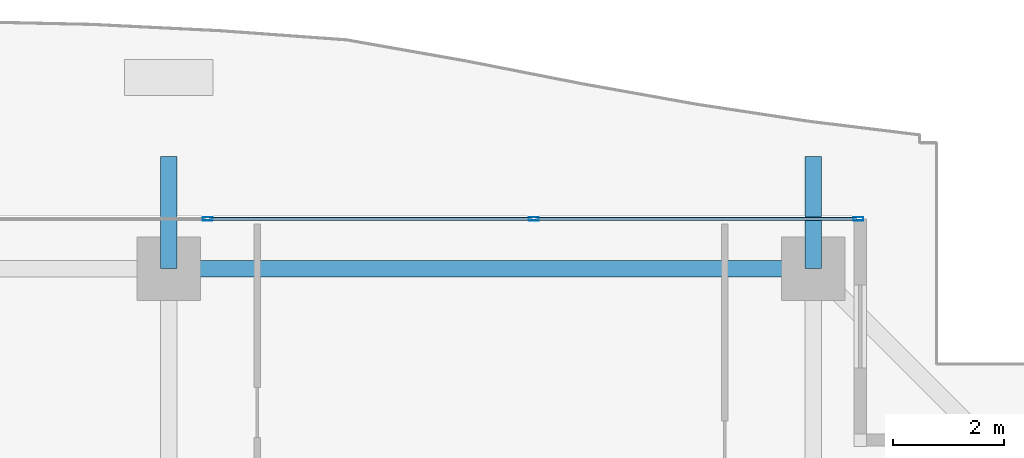
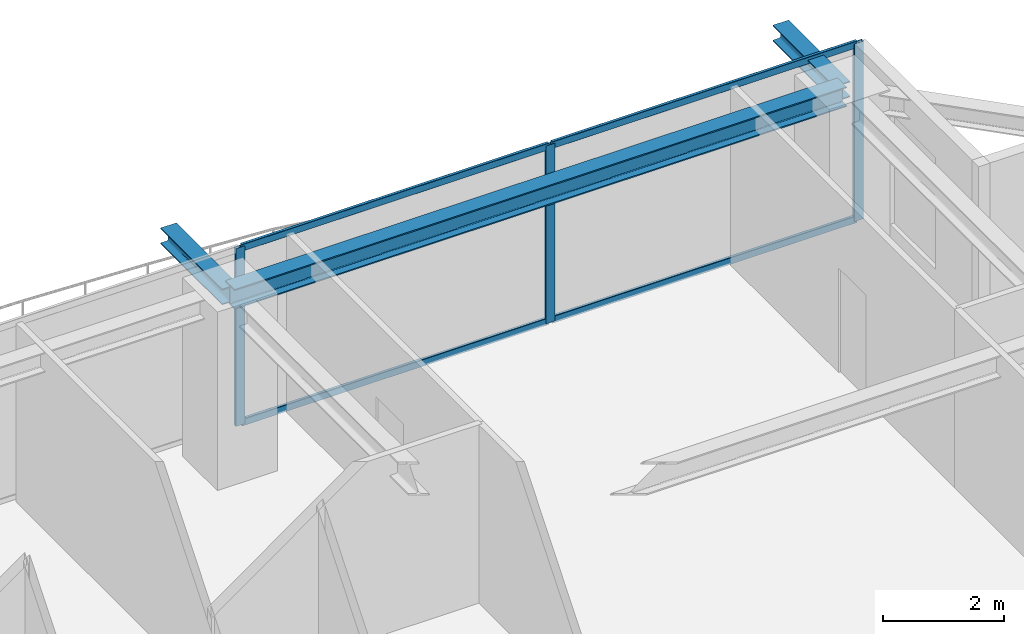
# One storey, part 25 of 38: 7 members, 3 beams, 1 element without a shape of its own.
"""IFC4 building model written with IfcOpenShell, lengths in metres."""

from ifc_helpers import new_model, si_unit, direction, frame, origin, origin_2d, place, context, subcontext, project, spatial, hollow_rectangle, i_section, extrude, source, transform, mapped, material, layer, layer_set, material_profile, profile_set, type_object, element, aggregate, save


model = new_model("IFC4")

# Units and contexts
model_context = context("Model", 3, precision=1e-05, world=origin(), true_north=direction((0.0, 1.0)))
body_context = subcontext(model_context, "Body", "Model", "MODEL_VIEW")
ifc_project = project(units=[si_unit("LENGTHUNIT", "METRE"), si_unit("AREAUNIT", "SQUARE_METRE"), si_unit("VOLUMEUNIT", "CUBIC_METRE"), si_unit("PLANEANGLEUNIT", "RADIAN"), si_unit("MASSUNIT", "GRAM", prefix="KILO")], contexts=[model_context])

# Site, building, storey
site_placement = place(None, origin())
site = spatial("IfcSite", under=ifc_project, at=site_placement, CompositionType="ELEMENT")
building_placement = place(site_placement, origin())
building = spatial("IfcBuilding", under=site, at=building_placement, Name="Serunith Strait Residences", CompositionType="ELEMENT")
storey_placement = place(building_placement, frame((0.0, 0.0, 268.199951171875)))
storey = spatial("IfcBuildingStorey", under=building, at=storey_placement, Name="L67", CompositionType="ELEMENT", Elevation=268.199951171875)

# Beams
ifc_material_1 = material(Name="Steel S355J2", Category="steel")
ifc_material_profile_1 = material_profile(ifc_material_1, i_section(OverallWidth=0.300048828125, OverallDepth=0.39990234375, WebThickness=0.013427734375, FlangeThickness=0.02392578125, FilletRadius=0.027099609375, at=origin_2d()), Name="HEB 400")
ifc_profile_set_1 = profile_set([ifc_material_profile_1], Name="Steel S355J2")
beam_type_1 = type_object("IfcBeamType", Name="BM-HEB400", PredefinedType="BEAM", material=ifc_profile_set_1)
shared_shape_1 = source(origin(), body_context, "Body", "SweptSolid", [
    extrude(i_section(OverallWidth=0.300048828125, OverallDepth=0.39990234375, WebThickness=0.013427734375, FlangeThickness=0.02392578125, FilletRadius=0.027099609375, at=origin_2d()), origin(), (0.0, 0.0, 1.0), 11.650146484375),
])
beam_placement = place(storey_placement, frame((48.550048828125, 48.300048828125, 3.386962890625), z_axis=(-1.0, 0.0, 0.0), x_axis=(0.0, -1.0, 0.0)))
element("IfcBeam", 1, at=beam_placement, inside=storey, type_object=beam_type_1, Name="L67 Perimeter Ring Beam 09", PredefinedType="BEAM", context=body_context, shape_type="MappedRepresentation", body=[
    mapped(shared_shape_1, transform((0.0, 0.0, 0.0), scale=1.0)),
])
ifc_material_profile_2 = material_profile(ifc_material_1, i_section(OverallWidth=0.300048828125, OverallDepth=0.320068359375, WebThickness=0.011474609375, FlangeThickness=0.0205078125, FilletRadius=0.027099609375, at=origin_2d()), Name="HEB 320")
ifc_profile_set_2 = profile_set([ifc_material_profile_2], Name="Steel S355J2")
beam_type_2 = type_object("IfcBeamType", Name="BM-HEB320", PredefinedType="BEAM", material=ifc_profile_set_2)
shared_shape_2 = source(origin(), body_context, "Body", "SweptSolid", [
    extrude(i_section(OverallWidth=0.300048828125, OverallDepth=0.320068359375, WebThickness=0.011474609375, FlangeThickness=0.0205078125, FilletRadius=0.027099609375, at=origin_2d()), origin(), (0.0, 0.0, 1.0), 2.030029296875),
])
for number, where, z_axis, x_axis, name in (
    (2, (36.89990234375, 48.300048828125, 3.39697265625), (0.0, 1.0, 0.0), (-1.0, 0.0, 0.0), "L68 Cantilevered Balcony Rib TC-N3"),
    (3, (48.550048828125, 48.300048828125, 3.39697265625), (0.0, 1.0, 0.0), (-1.0, 0.0, 0.0), "L68 Cantilevered Balcony Rib TC-N4"),
):
    element("IfcBeam", number, at=place(storey_placement, frame(where, z_axis=z_axis, x_axis=x_axis)), inside=storey, type_object=beam_type_2, Name=name, PredefinedType="BEAM", context=body_context, shape_type="MappedRepresentation", body=[
        mapped(shared_shape_2, transform((0.0, 0.0, 0.0), scale=1.0)),
    ])

# Curtain wall, members
ifc_material_2 = material(Name="Pale-Champagne Anodised Aluminium", Category="aluminium")
ifc_layer = layer(ifc_material_2, 0.199951171875, Name="Pale-Champagne Anodised Aluminium")
ifc_layer_set = layer_set([ifc_layer], Name="Pale-Champagne Anodised Aluminium")
curtain_wall_type = type_object("IfcCurtainWallType", Name="CW-SYS4", PredefinedType="NOTDEFINED", material=ifc_layer_set)
curtain_wall_placement = place(storey_placement, origin())
curtain_wall = element("IfcCurtainWall", 4, at=curtain_wall_placement, inside=storey, type_object=curtain_wall_type, Name="L67 N Unitised Fritted Curtain Wall", PredefinedType="NOTDEFINED")
ifc_material_profile_3 = material_profile(ifc_material_2, hollow_rectangle(XDim=0.06494140625, YDim=0.179931640625, WallThickness=0.00341796875, InnerFilletRadius=0.00537109375, OuterFilletRadius=0.0087890625, at=origin_2d()), Name="ALU 180x65x3.5")
ifc_profile_set_3 = profile_set([ifc_material_profile_3], Name="Pale-Champagne Anodised Aluminium")
member_type_1 = type_object("IfcMemberType", Name="CW-SYS4-MULL", PredefinedType="MULLION", material=ifc_profile_set_3)
shared_shape_3 = source(origin(), body_context, "Body", "SweptSolid", [
    extrude(hollow_rectangle(XDim=0.06494140625, YDim=0.179931640625, WallThickness=0.00341796875, InnerFilletRadius=0.00537109375, OuterFilletRadius=0.0087890625, at=origin_2d()), origin(), (0.0, 0.0, 1.0), 3.574951171875),
])
member_1_placement = place(storey_placement, frame((49.367431640625, 49.199951171875, 0.0), z_axis=(0.0, 0.0, 1.0), x_axis=(0.0, -1.0, 0.0)))
member_1 = element("IfcMember", 5, at=member_1_placement, type_object=member_type_1, Name="CW-4 mullion 1", PredefinedType="MULLION", context=body_context, shape_type="MappedRepresentation", body=[
    mapped(shared_shape_3, transform((0.0, 0.0, 0.0), scale=1.0)),
])
member_2_placement = place(storey_placement, frame((43.5, 49.199951171875, 0.0), z_axis=(0.0, 0.0, 1.0), x_axis=(0.0, -1.0, 0.0)))
member_2 = element("IfcMember", 6, at=member_2_placement, type_object=member_type_1, Name="CW-4 mullion 2", PredefinedType="MULLION", context=body_context, shape_type="MappedRepresentation", body=[
    mapped(shared_shape_3, transform((0.0, 0.0, 0.0), scale=1.0)),
])
member_3_placement = place(storey_placement, frame((37.60009765625, 49.199951171875, 0.0), z_axis=(0.0, 0.0, 1.0), x_axis=(0.0, -1.0, 0.0)))
member_3 = element("IfcMember", 7, at=member_3_placement, type_object=member_type_1, Name="CW-4 mullion 3", PredefinedType="MULLION", context=body_context, shape_type="MappedRepresentation", body=[
    mapped(shared_shape_3, transform((0.0, 0.0, 0.0), scale=1.0)),
])
ifc_material_profile_4 = material_profile(ifc_material_2, hollow_rectangle(XDim=0.06005859375, YDim=0.139892578125, WallThickness=0.00341796875, InnerFilletRadius=0.00537109375, OuterFilletRadius=0.0087890625, at=origin_2d()), Name="ALU 140x60x3.5")
ifc_profile_set_4 = profile_set([ifc_material_profile_4], Name="Pale-Champagne Anodised Aluminium")
member_type_2 = type_object("IfcMemberType", Name="CW-SYS4-TRAN", PredefinedType="USERDEFINED", material=ifc_profile_set_4)
shared_shape_4 = source(origin(), body_context, "Body", "SweptSolid", [
    extrude(hollow_rectangle(XDim=0.06005859375, YDim=0.139892578125, WallThickness=0.00341796875, InnerFilletRadius=0.00537109375, OuterFilletRadius=0.0087890625, at=origin_2d()), origin(), (0.0, 0.0, 1.0), 5.802490234375),
])
member_4_placement = place(storey_placement, frame((49.3349609375, 49.199951171875, 0.030029296875), z_axis=(-1.0, 0.0, 0.0), x_axis=(0.0, -1.0, 0.0)))
member_4 = element("IfcMember", 8, at=member_4_placement, type_object=member_type_2, Name="CW-4 transom 1.1", ObjectType="TRANSOM", PredefinedType="USERDEFINED", context=body_context, shape_type="MappedRepresentation", body=[
    mapped(shared_shape_4, transform((0.0, 0.0, 0.0), scale=1.0)),
])
member_5_placement = place(storey_placement, frame((49.3349609375, 49.199951171875, 3.545166015625), z_axis=(-1.0, 0.0, 0.0), x_axis=(0.0, -1.0, 0.0)))
member_5 = element("IfcMember", 9, at=member_5_placement, type_object=member_type_2, Name="CW-4 transom 1.2", ObjectType="TRANSOM", PredefinedType="USERDEFINED", context=body_context, shape_type="MappedRepresentation", body=[
    mapped(shared_shape_4, transform((0.0, 0.0, 0.0), scale=1.0)),
])
shared_shape_5 = source(origin(), body_context, "Body", "SweptSolid", [
    extrude(hollow_rectangle(XDim=0.06005859375, YDim=0.139892578125, WallThickness=0.00341796875, InnerFilletRadius=0.00537109375, OuterFilletRadius=0.0087890625, at=origin_2d()), origin(), (0.0, 0.0, 1.0), 5.8349609375),
])
member_6_placement = place(storey_placement, frame((43.467529296875, 49.199951171875, 0.030029296875), z_axis=(-1.0, 0.0, 0.0), x_axis=(0.0, -1.0, 0.0)))
member_6 = element("IfcMember", 10, at=member_6_placement, type_object=member_type_2, Name="CW-4 transom 2.1", ObjectType="TRANSOM", PredefinedType="USERDEFINED", context=body_context, shape_type="MappedRepresentation", body=[
    mapped(shared_shape_5, transform((0.0, 0.0, 0.0), scale=1.0)),
])
member_7_placement = place(storey_placement, frame((43.467529296875, 49.199951171875, 3.545166015625), z_axis=(-1.0, 0.0, 0.0), x_axis=(0.0, -1.0, 0.0)))
member_7 = element("IfcMember", 11, at=member_7_placement, type_object=member_type_2, Name="CW-4 transom 2.2", ObjectType="TRANSOM", PredefinedType="USERDEFINED", context=body_context, shape_type="MappedRepresentation", body=[
    mapped(shared_shape_5, transform((0.0, 0.0, 0.0), scale=1.0)),
])
aggregate(curtain_wall, [member_1, member_2, member_3, member_4, member_5, member_6, member_7])

save(model, "model.ifc")
